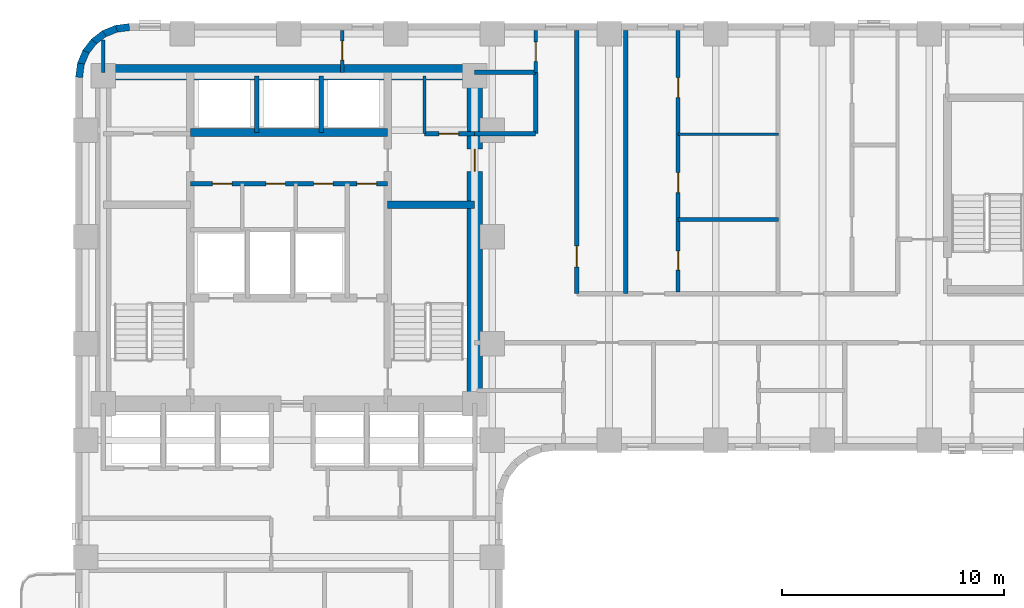
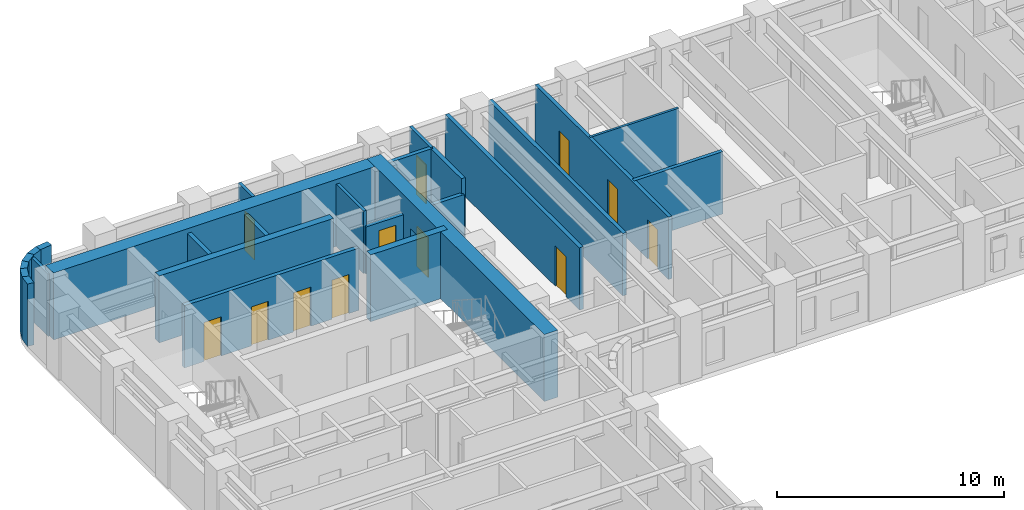
# One storey, part 6 of 11: 26 walls, 12 doors, 12 openings.
"""IFC4 building model written with IfcOpenShell, lengths in metres."""

from ifc_helpers import new_model, si_unit, direction, frame, frame_2d, origin, place, context, subcontext, project, spatial, rectangle, extrude, material, layer, layer_set, type_object, element, fill, save


model = new_model("IFC4")

# Units and contexts
model_context = context("Model", 3, precision=1e-05, world=origin(), true_north=direction((0.0, 1.0)))
body_context = subcontext(model_context, "Body", "Model", "MODEL_VIEW")
ifc_project = project(units=[si_unit("LENGTHUNIT", "METRE"), si_unit("AREAUNIT", "SQUARE_METRE"), si_unit("VOLUMEUNIT", "CUBIC_METRE"), si_unit("PLANEANGLEUNIT", "RADIAN"), si_unit("MASSUNIT", "GRAM", prefix="KILO")], contexts=[model_context])

# Site, building, storey
site_placement = place(None, origin())
site = spatial("IfcSite", under=ifc_project, at=site_placement, CompositionType="ELEMENT")
building_placement = place(site_placement, origin())
building = spatial("IfcBuilding", under=site, at=building_placement, Name="Orvandelia Arch Residences", CompositionType="ELEMENT")
storey_placement = place(building_placement, frame((0.0, 0.0, 82.60009765625)))
storey = spatial("IfcBuildingStorey", under=building, at=storey_placement, Name="L21", CompositionType="ELEMENT", Elevation=82.60009765625)

# Walls
ifc_material_1 = material(Name="Concrete C50/60", Category="concrete")
ifc_layer_1 = layer(ifc_material_1, 0.35009765625, Name="Concrete C50/60", Category="concrete")
ifc_layer_set_1 = layer_set([ifc_layer_1], Name="Concrete C50/60")
wall_type_1 = type_object("IfcWallType", Name="WL-CORE-350", PredefinedType="SHEAR", material=ifc_layer_set_1)
wall_1_placement = place(storey_placement, frame((18.840087890625, 39.85009765625, 0.0), z_axis=(0.0, 0.0, 1.0), x_axis=(1.0, 0.0, 0.0)))
element("IfcWall", 1, at=wall_1_placement, inside=storey, type_object=wall_type_1, Name="Core Shear Wall L21-HZ2", PredefinedType="SHEAR", context=body_context, shape_type="SweptSolid", body=[
    extrude(rectangle(XDim=3.909912109375, YDim=0.35009765625, at=frame_2d((1.955078125, 0.0))), origin(), (0.0, 0.0, 1.0), 3.599853515625),
])
wall_2_placement = place(storey_placement, frame((9.9599609375, 43.10009765625, 0.0), z_axis=(0.0, 0.0, 1.0), x_axis=(1.0, 0.0, 0.0)))
element("IfcWall", 2, at=wall_2_placement, inside=storey, type_object=wall_type_1, Name="Core Shear Wall L21-HZ4", PredefinedType="SHEAR", context=body_context, shape_type="SweptSolid", body=[
    extrude(rectangle(XDim=8.880126953125, YDim=0.35009765625, at=frame_2d((4.43994140625, 0.0))), origin(), (0.0, 0.0, 1.0), 3.599853515625),
])

# Wall, opening, door
ifc_material_2 = material(Name="Concrete C80/95", Category="concrete")
ifc_layer_2 = layer(ifc_material_2, 0.699951171875, Name="Concrete C80/95", Category="concrete")
ifc_layer_set_2 = layer_set([ifc_layer_2], Name="Concrete C80/95")
wall_type_2 = type_object("IfcWallType", Name="WL-CORE-700", PredefinedType="SHEAR", material=ifc_layer_set_2)
wall_3_placement = place(storey_placement, frame((22.75, 30.550048828125, 0.0), z_axis=(0.0, 0.0, 1.0), x_axis=(0.0, 1.0, 0.0)))
wall_3 = element("IfcWall", 3, at=wall_3_placement, inside=storey, type_object=wall_type_2, Name="Core Shear Wall L21-E", PredefinedType="SHEAR", context=body_context, shape_type="SweptSolid", body=[
    extrude(rectangle(XDim=15.599853515625, YDim=0.699951171875, at=frame_2d((7.7998046875, 0.0))), origin(), (0.0, 0.0, 1.0), 3.599853515625),
])
opening_1_placement = place(wall_3_placement, frame((10.800048828125, 0.0, 0.0)))
opening_1 = element("IfcOpeningElement", 4, at=opening_1_placement, cuts=wall_3, Name="Opening D6", PredefinedType="OPENING", context=body_context, shape_type="SweptSolid", body=[
    extrude(rectangle(XDim=1.0, YDim=2.14990234375, at=frame_2d((0.5, 1.074951171875))), frame((0.0, 0.35986328125, 0.0), z_axis=(0.0, -1.0, 0.0), x_axis=(1.0, 0.0, 0.0)), (0.0, 0.0, 1.0), 0.719970703125),
])
ifc_material_3 = material(Name="Smokeproof Painted Steel Fire Door", Category="steel")
door_type_1 = type_object("IfcDoorType", Name="DR-FD60-1000", OperationType="NOTDEFINED", PredefinedType="DOOR", material=ifc_material_3)
door_1_placement = place(opening_1_placement, origin())
door_1 = element("IfcDoor", 5, at=door_1_placement, inside=storey, type_object=door_type_1, Name="Core East Corridor Link Door L21", OperationType="SINGLE_SWING_LEFT", OverallHeight=2.14990234375, OverallWidth=1.0, PredefinedType="DOOR", context=body_context, shape_type="SweptSolid", body=[
    extrude(rectangle(XDim=1.0, YDim=2.14990234375, at=frame_2d((0.5, 1.074951171875))), frame((0.0, 0.02490234375, 0.0), z_axis=(0.0, -1.0, 0.0), x_axis=(1.0, 0.0, 0.0)), (0.0, 0.0, 1.0), 0.050048828125),
])
fill(opening_1, door_1)

# Walls
wall_4_placement = place(storey_placement, frame((6.050048828125, 45.800048828125, 0.0), z_axis=(0.0, 0.0, 1.0), x_axis=(1.0, 0.0, 0.0)))
element("IfcWall", 6, at=wall_4_placement, inside=storey, type_object=wall_type_2, Name="Core Shear Wall L21-N", PredefinedType="SHEAR", context=body_context, shape_type="SweptSolid", body=[
    extrude(rectangle(XDim=16.699951171875, YDim=0.699951171875, at=frame_2d((8.35009765625, 0.0))), origin(), (0.0, 0.0, 1.0), 3.599853515625),
])
ifc_material_4 = material(Name="Fire-Rated Corridor Partition")
ifc_layer_3 = layer(ifc_material_4, 0.199951171875, Name="Fire-Rated Corridor Partition")
ifc_layer_set_3 = layer_set([ifc_layer_3], Name="Fire-Rated Corridor Partition")
wall_type_3 = type_object("IfcWallType", Name="WL-CORR-200", PredefinedType="PARTITIONING", material=ifc_layer_set_3)
wall_5_placement = place(storey_placement, frame((22.75, 45.800048828125, 0.0), z_axis=(0.0, 0.0, 1.0), x_axis=(1.0, 0.0, 0.0)))
element("IfcWall", 7, at=wall_5_placement, inside=storey, type_object=wall_type_3, Name="Interior Partition Wall WL-L21-NCE-S", PredefinedType="PARTITIONING", context=body_context, shape_type="SweptSolid", body=[
    extrude(rectangle(XDim=2.75, YDim=0.199951171875, at=frame_2d((1.375, 0.0))), origin(), (0.0, 0.0, 1.0), 3.349853515625),
])

# Wall, opening, door
wall_6_placement = place(storey_placement, frame((27.35009765625, 35.85009765625, 0.0), z_axis=(0.0, 0.0, 1.0), x_axis=(0.0, 1.0, 0.0)))
wall_6 = element("IfcWall", 8, at=wall_6_placement, inside=storey, type_object=wall_type_3, Name="Interior Partition Wall WL-L21-ES-NCE", PredefinedType="PARTITIONING", context=body_context, shape_type="SweptSolid", body=[
    extrude(rectangle(XDim=11.829833984375, YDim=0.199951171875, at=frame_2d((5.9150390625, 0.0))), origin(), (0.0, 0.0, 1.0), 3.349853515625),
])
opening_2_placement = place(wall_6_placement, frame((1.199951171875, 0.0, 0.0)))
opening_2 = element("IfcOpeningElement", 9, at=opening_2_placement, cuts=wall_6, Name="Opening D2", PredefinedType="OPENING", context=body_context, shape_type="SweptSolid", body=[
    extrude(rectangle(XDim=0.949951171875, YDim=2.14990234375, at=frame_2d((0.47509765625, 1.074951171875))), frame((0.0, 0.10986328125, 0.0), z_axis=(0.0, -1.0, 0.0), x_axis=(1.0, 0.0, 0.0)), (0.0, 0.0, 1.0), 0.219970703125),
])
ifc_material_5 = material(Name="Solid-Core Timber Interior Fire Door", Category="wood")
door_type_2 = type_object("IfcDoorType", Name="DR-APT-950", OperationType="NOTDEFINED", PredefinedType="DOOR", material=ifc_material_5)
door_2_placement = place(opening_2_placement, origin())
door_2 = element("IfcDoor", 10, at=door_2_placement, inside=storey, type_object=door_type_2, Name="DR-L21-ESLDY", OperationType="SINGLE_SWING_RIGHT", OverallHeight=2.14990234375, OverallWidth=0.949951171875, PredefinedType="DOOR", context=body_context, shape_type="SweptSolid", body=[
    extrude(rectangle(XDim=0.949951171875, YDim=2.14990234375, at=frame_2d((0.47509765625, 1.074951171875))), frame((0.0, 0.02490234375, 0.0), z_axis=(0.0, -1.0, 0.0), x_axis=(1.0, 0.0, 0.0)), (0.0, 0.0, 1.0), 0.050048828125),
])
fill(opening_2, door_2)

# Walls
wall_7_placement = place(storey_placement, frame((22.75, 43.050048828125, 0.0), z_axis=(0.0, 0.0, 1.0), x_axis=(1.0, 0.0, 0.0)))
element("IfcWall", 11, at=wall_7_placement, inside=storey, type_object=wall_type_3, Name="Interior Partition Wall WL-L21-ES-LS", PredefinedType="PARTITIONING", context=body_context, shape_type="SweptSolid", body=[
    extrude(rectangle(XDim=2.75, YDim=0.199951171875, at=frame_2d((1.375, 0.0))), origin(), (0.0, 0.0, 1.0), 2.52978515625),
])
wall_8_placement = place(storey_placement, frame((25.5, 43.050048828125, 0.0), z_axis=(0.0, 0.0, 1.0), x_axis=(0.0, 1.0, 0.0)))
element("IfcWall", 12, at=wall_8_placement, inside=storey, type_object=wall_type_3, Name="Interior Partition Wall WL-L21-ES-LW2", PredefinedType="PARTITIONING", context=body_context, shape_type="SweptSolid", body=[
    extrude(rectangle(XDim=2.75, YDim=0.199951171875, at=frame_2d((1.375, 0.0))), origin(), (0.0, 0.0, 1.0), 3.349853515625),
])
ifc_material_6 = material(Name="Concrete C40/50", Category="concrete")
ifc_layer_4 = layer(ifc_material_6, 0.199951171875, Name="Concrete C40/50", Category="concrete")
ifc_layer_set_4 = layer_set([ifc_layer_4], Name="Concrete C40/50")
wall_type_4 = type_object("IfcWallType", Name="WL-DEM-200", PredefinedType="SOLIDWALL", material=ifc_layer_set_4)
wall_9_placement = place(storey_placement, frame((29.550048828125, 35.85009765625, 0.0), z_axis=(0.0, 0.0, 1.0), x_axis=(0.0, 1.0, 0.0)))
element("IfcWall", 13, at=wall_9_placement, inside=storey, type_object=wall_type_4, Name="Interior Partition Wall WL-L21-ES-LDE", PredefinedType="SOLIDWALL", context=body_context, shape_type="SweptSolid", body=[
    extrude(rectangle(XDim=11.829833984375, YDim=0.199951171875, at=frame_2d((5.9150390625, 0.0))), origin(), (0.0, 0.0, 1.0), 3.349853515625),
])
ifc_material_7 = material(Name="Precast concrete C40/50", Category="concrete")
ifc_layer_5 = layer(ifc_material_7, 0.320068359375, Name="Precast concrete C40/50", Category="concrete")
ifc_layer_set_5 = layer_set([ifc_layer_5], Name="Precast concrete C40/50")
wall_type_5 = type_object("IfcWallType", Name="WL-EXT-STONE-320", PredefinedType="STANDARD", material=ifc_layer_set_5)
for number, where, z_axis, x_axis, name in (
    (14, (4.95849609375, 45.5791015625, 0.0), (0.0, 0.0, 1.0), (0.130555323746, 0.9914410257, 0.0), "Coral-Limestone Precast Facade Wall L21-001"),
    (15, (5.029541015625, 46.159912109375, 0.0), (0.0, 0.0, 1.0), (0.382650053678, 0.92389335771, 0.0), "Coral-Limestone Precast Facade Wall L21-002"),
):
    element("IfcWall", number, at=place(storey_placement, frame(where, z_axis=z_axis, x_axis=x_axis)), inside=storey, type_object=wall_type_5, Name=name, PredefinedType="STANDARD", context=body_context, shape_type="SweptSolid", body=[
        extrude(rectangle(XDim=0.62646484375, YDim=0.320068359375, at=frame_2d((0.313232421875, 0.0))), origin(), (0.0, 0.0, 1.0), 3.349853515625),
    ])
wall_10_placement = place(storey_placement, frame((5.248291015625, 46.70263671875, 0.0), z_axis=(0.0, 0.0, 1.0), x_axis=(0.608938521285, 0.7932174212, 0.0)))
element("IfcWall", 16, at=wall_10_placement, inside=storey, type_object=wall_type_5, Name="Coral-Limestone Precast Facade Wall L21-003", PredefinedType="STANDARD", context=body_context, shape_type="SweptSolid", body=[
    extrude(rectangle(XDim=0.626708984375, YDim=0.320068359375, at=frame_2d((0.3134765625, 0.0))), origin(), (0.0, 0.0, 1.0), 3.349853515625),
])
wall_11_placement = place(storey_placement, frame((5.600341796875, 47.170166015625, 0.0), z_axis=(0.0, 0.0, 1.0), x_axis=(0.793405610854, 0.608693302629, 0.0)))
element("IfcWall", 17, at=wall_11_placement, inside=storey, type_object=wall_type_5, Name="Coral-Limestone Precast Facade Wall L21-004", PredefinedType="STANDARD", context=body_context, shape_type="SweptSolid", body=[
    extrude(rectangle(XDim=0.62646484375, YDim=0.320068359375, at=frame_2d((0.313232421875, 0.0))), origin(), (0.0, 0.0, 1.0), 3.349853515625),
])
wall_12_placement = place(storey_placement, frame((6.061279296875, 47.53076171875, 0.0), z_axis=(0.0, 0.0, 1.0), x_axis=(0.923836271867, 0.382787856107, 0.0)))
element("IfcWall", 18, at=wall_12_placement, inside=storey, type_object=wall_type_5, Name="Coral-Limestone Precast Facade Wall L21-005", PredefinedType="STANDARD", context=body_context, shape_type="SweptSolid", body=[
    extrude(rectangle(XDim=0.626220703125, YDim=0.320068359375, at=frame_2d((0.31298828125, 0.0))), origin(), (0.0, 0.0, 1.0), 3.349853515625),
])
wall_13_placement = place(storey_placement, frame((6.599609375, 47.759521484375, 0.0), z_axis=(0.0, 0.0, 1.0), x_axis=(0.991447664465, 0.130504898859, 0.0)))
element("IfcWall", 19, at=wall_13_placement, inside=storey, type_object=wall_type_5, Name="Coral-Limestone Precast Facade Wall L21-006", PredefinedType="STANDARD", context=body_context, shape_type="SweptSolid", body=[
    extrude(rectangle(XDim=0.626708984375, YDim=0.320068359375, at=frame_2d((0.3134765625, 0.0))), origin(), (0.0, 0.0, 1.0), 3.349853515625),
])
ifc_material_8 = material(Name="Lightweight Gypsum Stud Partition")
ifc_layer_6 = layer(ifc_material_8, 0.1201171875, Name="Lightweight Gypsum Stud Partition")
ifc_layer_set_6 = layer_set([ifc_layer_6], Name="Lightweight Gypsum Stud Partition")
wall_type_6 = type_object("IfcWallType", Name="WL-PART-120", PredefinedType="PARTITIONING", material=ifc_layer_set_6)
wall_14_placement = place(storey_placement, frame((31.909912109375, 43.01611328125, 0.0), z_axis=(0.0, 0.0, 1.0), x_axis=(1.0, 0.0, 0.0)))
element("IfcWall", 20, at=wall_14_placement, inside=storey, type_object=wall_type_6, Name="Interior Partition Wall WL-L21-U08-H2", PredefinedType="PARTITIONING", context=body_context, shape_type="SweptSolid", body=[
    extrude(rectangle(XDim=4.510009765625, YDim=0.1201171875, at=frame_2d((2.2548828125, 0.0))), origin(), (0.0, 0.0, 1.0), 3.349853515625),
])
ifc_material_9 = material(Name="Acoustic Gypsum Stud Partition")
ifc_layer_7 = layer(ifc_material_9, 0.14990234375, Name="Acoustic Gypsum Stud Partition")
ifc_layer_set_7 = layer_set([ifc_layer_7], Name="Acoustic Gypsum Stud Partition")
wall_type_7 = type_object("IfcWallType", Name="WL-PART-150", PredefinedType="PARTITIONING", material=ifc_layer_set_7)
wall_15_placement = place(storey_placement, frame((20.5, 43.050048828125, 0.0), z_axis=(0.0, 0.0, 1.0), x_axis=(0.0, 1.0, 0.0)))
element("IfcWall", 21, at=wall_15_placement, inside=storey, type_object=wall_type_7, Name="Interior Partition Wall WL-L21-CSB-2W", PredefinedType="PARTITIONING", context=body_context, shape_type="SweptSolid", body=[
    extrude(rectangle(XDim=2.599853515625, YDim=0.14990234375, at=frame_2d((1.2998046875, 0.0))), origin(), (0.0, 0.0, 1.0), 3.349853515625),
])

# Wall, opening, door
wall_16_placement = place(storey_placement, frame((25.5, 45.800048828125, 0.0), z_axis=(0.0, 0.0, 1.0), x_axis=(0.0, 1.0, 0.0)))
wall_16 = element("IfcWall", 22, at=wall_16_placement, inside=storey, type_object=wall_type_7, Name="Interior Partition Wall WL-L21-NCE-W", PredefinedType="PARTITIONING", context=body_context, shape_type="SweptSolid", body=[
    extrude(rectangle(XDim=1.8798828125, YDim=0.14990234375, at=frame_2d((0.93994140625, 0.0))), origin(), (0.0, 0.0, 1.0), 3.349853515625),
])
opening_3_placement = place(wall_16_placement, frame((0.5, 0.0, 0.0)))
opening_3 = element("IfcOpeningElement", 23, at=opening_3_placement, cuts=wall_16, Name="Opening D5", PredefinedType="OPENING", context=body_context, shape_type="SweptSolid", body=[
    extrude(rectangle(XDim=0.8798828125, YDim=2.10009765625, at=frame_2d((0.43994140625, 1.050048828125))), frame((0.0, 0.0849609375, 0.0), z_axis=(0.0, -1.0, 0.0), x_axis=(1.0, 0.0, 0.0)), (0.0, 0.0, 1.0), 0.169921875),
])
ifc_material_10 = material(Name="Painted Galvanised Steel Service Door", Category="steel")
door_type_3 = type_object("IfcDoorType", Name="DR-SRV-880", OperationType="NOTDEFINED", PredefinedType="DOOR", material=ifc_material_10)
door_3_placement = place(opening_3_placement, origin())
door_3 = element("IfcDoor", 24, at=door_3_placement, inside=storey, type_object=door_type_3, Name="DR-L21-NCS2", OperationType="SINGLE_SWING_LEFT", OverallHeight=2.10009765625, OverallWidth=0.8798828125, PredefinedType="DOOR", context=body_context, shape_type="SweptSolid", body=[
    extrude(rectangle(XDim=0.8798828125, YDim=2.10009765625, at=frame_2d((0.43994140625, 1.050048828125))), frame((0.0, 0.02490234375, 0.0), z_axis=(0.0, -1.0, 0.0), x_axis=(1.0, 0.0, 0.0)), (0.0, 0.0, 1.0), 0.050048828125),
])
fill(opening_3, door_3)

# Wall
wall_17_placement = place(storey_placement, frame((6.050048828125, 45.800048828125, 0.0), z_axis=(0.0, 0.0, 1.0), x_axis=(0.0, 1.0, 0.0)))
element("IfcWall", 25, at=wall_17_placement, inside=storey, type_object=wall_type_7, Name="Interior Partition Wall WL-L21-NC-W6", PredefinedType="PARTITIONING", context=body_context, shape_type="SweptSolid", body=[
    extrude(rectangle(XDim=1.4599609375, YDim=0.14990234375, at=frame_2d((0.72998046875, 0.0))), origin(), (0.0, 0.0, 1.0), 3.349853515625),
])

# Wall, opening, door
wall_18_placement = place(storey_placement, frame((16.800048828125, 45.800048828125, 0.0), z_axis=(0.0, 0.0, 1.0), x_axis=(0.0, 1.0, 0.0)))
wall_18 = element("IfcWall", 26, at=wall_18_placement, inside=storey, type_object=wall_type_7, Name="Interior Partition Wall WL-L21-NC-M", PredefinedType="PARTITIONING", context=body_context, shape_type="SweptSolid", body=[
    extrude(rectangle(XDim=1.8798828125, YDim=0.14990234375, at=frame_2d((0.93994140625, 0.0))), origin(), (0.0, 0.0, 1.0), 3.349853515625),
])
opening_4_placement = place(wall_18_placement, frame((0.550048828125, 0.0, 0.0)))
opening_4 = element("IfcOpeningElement", 27, at=opening_4_placement, cuts=wall_18, Name="Opening D4", PredefinedType="OPENING", context=body_context, shape_type="SweptSolid", body=[
    extrude(rectangle(XDim=0.860107421875, YDim=2.10009765625, at=frame_2d((0.43017578125, 1.050048828125))), frame((0.0, 0.0849609375, 0.0), z_axis=(0.0, -1.0, 0.0), x_axis=(1.0, 0.0, 0.0)), (0.0, 0.0, 1.0), 0.169921875),
])
ifc_material_11 = material(Name="Moisture-Sealed Timber Bathroom Door", Category="wood")
door_type_4 = type_object("IfcDoorType", Name="DR-WET-900", OperationType="NOTDEFINED", PredefinedType="DOOR", material=ifc_material_11)
door_4_placement = place(opening_4_placement, origin())
door_4 = element("IfcDoor", 28, at=door_4_placement, inside=storey, type_object=door_type_4, Name="DR-L21-NCS1", OperationType="SINGLE_SWING_LEFT", OverallHeight=2.10009765625, OverallWidth=0.860107421875, PredefinedType="DOOR", context=body_context, shape_type="SweptSolid", body=[
    extrude(rectangle(XDim=0.860107421875, YDim=2.10009765625, at=frame_2d((0.43017578125, 1.050048828125))), frame((0.0, 0.02490234375, 0.0), z_axis=(0.0, -1.0, 0.0), x_axis=(1.0, 0.0, 0.0)), (0.0, 0.0, 1.0), 0.050048828125),
])
fill(opening_4, door_4)

# Wall, openings, doors
ifc_material_12 = material(Name="Fire-Rated Shaft Enclosure Wall")
ifc_layer_8 = layer(ifc_material_12, 0.199951171875, Name="Fire-Rated Shaft Enclosure Wall")
ifc_layer_set_8 = layer_set([ifc_layer_8], Name="Fire-Rated Shaft Enclosure Wall")
wall_type_8 = type_object("IfcWallType", Name="WL-SHAFT-200", PredefinedType="POLYGONAL", material=ifc_layer_set_8)
wall_19_placement = place(storey_placement, frame((9.9599609375, 40.800048828125, 0.0), z_axis=(0.0, 0.0, 1.0), x_axis=(1.0, 0.0, 0.0)))
wall_19 = element("IfcWall", 29, at=wall_19_placement, inside=storey, type_object=wall_type_8, Name="Interior Partition Wall WL-L21-HLH-S", PredefinedType="POLYGONAL", context=body_context, shape_type="SweptSolid", body=[
    extrude(rectangle(XDim=8.880126953125, YDim=0.199951171875, at=frame_2d((4.43994140625, 0.0))), origin(), (0.0, 0.0, 1.0), 3.349853515625),
])
opening_5_placement = place(wall_19_placement, frame((7.5, 0.0, 0.0)))
opening_5 = element("IfcOpeningElement", 30, at=opening_5_placement, cuts=wall_19, Name="Opening D5", PredefinedType="OPENING", context=body_context, shape_type="SweptSolid", body=[
    extrude(rectangle(XDim=0.8798828125, YDim=2.10009765625, at=frame_2d((0.43994140625, 1.050048828125))), frame((0.0, 0.10986328125, 0.0), z_axis=(0.0, -1.0, 0.0), x_axis=(1.0, 0.0, 0.0)), (0.0, 0.0, 1.0), 0.219970703125),
])
opening_6_placement = place(wall_19_placement, frame((1.0, 0.0, 0.0)))
opening_6 = element("IfcOpeningElement", 31, at=opening_6_placement, cuts=wall_19, Name="Opening D5", PredefinedType="OPENING", context=body_context, shape_type="SweptSolid", body=[
    extrude(rectangle(XDim=0.8798828125, YDim=2.10009765625, at=frame_2d((0.43994140625, 1.050048828125))), frame((0.0, 0.10986328125, 0.0), z_axis=(0.0, -1.0, 0.0), x_axis=(1.0, 0.0, 0.0)), (0.0, 0.0, 1.0), 0.219970703125),
])
opening_7_placement = place(wall_19_placement, frame((3.39990234375, 0.0, 0.0)))
opening_7 = element("IfcOpeningElement", 32, at=opening_7_placement, cuts=wall_19, Name="Opening D5", PredefinedType="OPENING", context=body_context, shape_type="SweptSolid", body=[
    extrude(rectangle(XDim=0.8798828125, YDim=2.10009765625, at=frame_2d((0.43994140625, 1.050048828125))), frame((0.0, 0.10986328125, 0.0), z_axis=(0.0, -1.0, 0.0), x_axis=(1.0, 0.0, 0.0)), (0.0, 0.0, 1.0), 0.219970703125),
])
opening_8_placement = place(wall_19_placement, frame((5.550048828125, 0.0, 0.0)))
opening_8 = element("IfcOpeningElement", 33, at=opening_8_placement, cuts=wall_19, Name="Opening D5", PredefinedType="OPENING", context=body_context, shape_type="SweptSolid", body=[
    extrude(rectangle(XDim=0.8798828125, YDim=2.10009765625, at=frame_2d((0.43994140625, 1.050048828125))), frame((0.0, 0.10986328125, 0.0), z_axis=(0.0, -1.0, 0.0), x_axis=(1.0, 0.0, 0.0)), (0.0, 0.0, 1.0), 0.219970703125),
])
door_5_placement = place(opening_5_placement, origin())
door_5 = element("IfcDoor", 34, at=door_5_placement, inside=storey, type_object=door_type_3, Name="Core Stairway Passage North Fire Door L21", OperationType="SINGLE_SWING_RIGHT", OverallHeight=2.10009765625, OverallWidth=0.8798828125, PredefinedType="DOOR", context=body_context, shape_type="SweptSolid", body=[
    extrude(rectangle(XDim=0.8798828125, YDim=2.10009765625, at=frame_2d((0.43994140625, 1.050048828125))), frame((0.0, 0.02490234375, 0.0), z_axis=(0.0, -1.0, 0.0), x_axis=(1.0, 0.0, 0.0)), (0.0, 0.0, 1.0), 0.050048828125),
])
fill(opening_5, door_5)
door_6_placement = place(opening_6_placement, origin())
door_6 = element("IfcDoor", 35, at=door_6_placement, inside=storey, type_object=door_type_3, Name="DR-L21-CSA1", OperationType="SINGLE_SWING_LEFT", OverallHeight=2.10009765625, OverallWidth=0.8798828125, PredefinedType="DOOR", context=body_context, shape_type="SweptSolid", body=[
    extrude(rectangle(XDim=0.8798828125, YDim=2.10009765625, at=frame_2d((0.43994140625, 1.050048828125))), frame((0.0, 0.02490234375, 0.0), z_axis=(0.0, -1.0, 0.0), x_axis=(1.0, 0.0, 0.0)), (0.0, 0.0, 1.0), 0.050048828125),
])
fill(opening_6, door_6)
door_7_placement = place(opening_7_placement, origin())
door_7 = element("IfcDoor", 36, at=door_7_placement, inside=storey, type_object=door_type_3, Name="DR-L21-CSA2", OperationType="SINGLE_SWING_RIGHT", OverallHeight=2.10009765625, OverallWidth=0.8798828125, PredefinedType="DOOR", context=body_context, shape_type="SweptSolid", body=[
    extrude(rectangle(XDim=0.8798828125, YDim=2.10009765625, at=frame_2d((0.43994140625, 1.050048828125))), frame((0.0, 0.02490234375, 0.0), z_axis=(0.0, -1.0, 0.0), x_axis=(1.0, 0.0, 0.0)), (0.0, 0.0, 1.0), 0.050048828125),
])
fill(opening_7, door_7)
door_8_placement = place(opening_8_placement, origin())
door_8 = element("IfcDoor", 37, at=door_8_placement, inside=storey, type_object=door_type_3, Name="DR-L21-CSA3", OperationType="SINGLE_SWING_LEFT", OverallHeight=2.10009765625, OverallWidth=0.8798828125, PredefinedType="DOOR", context=body_context, shape_type="SweptSolid", body=[
    extrude(rectangle(XDim=0.8798828125, YDim=2.10009765625, at=frame_2d((0.43994140625, 1.050048828125))), frame((0.0, 0.02490234375, 0.0), z_axis=(0.0, -1.0, 0.0), x_axis=(1.0, 0.0, 0.0)), (0.0, 0.0, 1.0), 0.050048828125),
])
fill(opening_8, door_8)

# Wall, opening, door
wall_20_placement = place(storey_placement, frame((20.5, 43.050048828125, 0.0), z_axis=(0.0, 0.0, 1.0), x_axis=(1.0, 0.0, 0.0)))
wall_20 = element("IfcWall", 38, at=wall_20_placement, inside=storey, type_object=wall_type_8, Name="Interior Partition Wall WL-L21-HLE-N", PredefinedType="POLYGONAL", context=body_context, shape_type="SweptSolid", body=[
    extrude(rectangle(XDim=2.25, YDim=0.199951171875, at=frame_2d((1.125, 0.0))), origin(), (0.0, 0.0, 1.0), 2.52978515625),
])
opening_9_placement = place(wall_20_placement, frame((0.64990234375, 0.0, 0.0)))
opening_9 = element("IfcOpeningElement", 39, at=opening_9_placement, cuts=wall_20, Name="Opening D5", PredefinedType="OPENING", context=body_context, shape_type="SweptSolid", body=[
    extrude(rectangle(XDim=0.8798828125, YDim=2.10009765625, at=frame_2d((0.43994140625, 1.050048828125))), frame((0.0, 0.10986328125, 0.0), z_axis=(0.0, -1.0, 0.0), x_axis=(1.0, 0.0, 0.0)), (0.0, 0.0, 1.0), 0.219970703125),
])
door_9_placement = place(opening_9_placement, origin())
door_9 = element("IfcDoor", 40, at=door_9_placement, inside=storey, type_object=door_type_3, Name="DR-L21-CSB1", OperationType="SINGLE_SWING_RIGHT", OverallHeight=2.10009765625, OverallWidth=0.8798828125, PredefinedType="DOOR", context=body_context, shape_type="SweptSolid", body=[
    extrude(rectangle(XDim=0.8798828125, YDim=2.10009765625, at=frame_2d((0.43994140625, 1.050048828125))), frame((0.0, 0.02490234375, 0.0), z_axis=(0.0, -1.0, 0.0), x_axis=(1.0, 0.0, 0.0)), (0.0, 0.0, 1.0), 0.050048828125),
])
fill(opening_9, door_9)

# Walls
for number, where, z_axis, x_axis, name in (
    (41, (12.949951171875, 43.10009765625, 0.0), (0.0, 0.0, 1.0), (0.0, 1.0, 0.0), "Interior Partition Wall WL-L21-PHD1"),
    (42, (15.85009765625, 43.10009765625, 0.0), (0.0, 0.0, 1.0), (0.0, 1.0, 0.0), "Interior Partition Wall WL-L21-PHD2"),
):
    element("IfcWall", number, at=place(storey_placement, frame(where, z_axis=z_axis, x_axis=x_axis)), inside=storey, type_object=wall_type_8, Name=name, PredefinedType="POLYGONAL", context=body_context, shape_type="SweptSolid", body=[
        extrude(rectangle(XDim=2.5498046875, YDim=0.199951171875, at=frame_2d((1.27490234375, 0.0))), origin(), (0.0, 0.0, 1.0), 3.349853515625),
    ])

# Wall, openings, doors
ifc_material_13 = material(Name="Moisture-Resistant Plumbing Wall")
ifc_layer_9 = layer(ifc_material_13, 0.179931640625, Name="Moisture-Resistant Plumbing Wall")
ifc_layer_set_9 = layer_set([ifc_layer_9], Name="Moisture-Resistant Plumbing Wall")
wall_type_9 = type_object("IfcWallType", Name="WL-WET-180", PredefinedType="PLUMBINGWALL", material=ifc_layer_set_9)
wall_21_placement = place(storey_placement, frame((31.909912109375, 35.929931640625, 0.0), z_axis=(0.0, 0.0, 1.0), x_axis=(0.0, 1.0, 0.0)))
wall_21 = element("IfcWall", 43, at=wall_21_placement, inside=storey, type_object=wall_type_9, Name="Interior Partition Wall WL-L21-U08-VT", PredefinedType="PLUMBINGWALL", context=body_context, shape_type="SweptSolid", body=[
    extrude(rectangle(XDim=11.75, YDim=0.179931640625, at=frame_2d((5.875, 0.0))), origin(), (0.0, 0.0, 1.0), 3.349853515625),
])
opening_10_placement = place(wall_21_placement, frame((0.971923828125, 0.0, 0.0)))
opening_10 = element("IfcOpeningElement", 44, at=opening_10_placement, cuts=wall_21, Name="Opening D4", PredefinedType="OPENING", context=body_context, shape_type="SweptSolid", body=[
    extrude(rectangle(XDim=0.860107421875, YDim=2.10009765625, at=frame_2d((0.43017578125, 1.050048828125))), frame((0.0, 0.10009765625, 0.0), z_axis=(0.0, -1.0, 0.0), x_axis=(1.0, 0.0, 0.0)), (0.0, 0.0, 1.0), 0.199951171875),
])
opening_11_placement = place(wall_21_placement, frame((4.464111328125, 0.0, 0.0)))
opening_11 = element("IfcOpeningElement", 45, at=opening_11_placement, cuts=wall_21, Name="Opening D3", PredefinedType="OPENING", context=body_context, shape_type="SweptSolid", body=[
    extrude(rectangle(XDim=0.89990234375, YDim=2.14990234375, at=frame_2d((0.449951171875, 1.074951171875))), frame((0.0, 0.10009765625, 0.0), z_axis=(0.0, -1.0, 0.0), x_axis=(1.0, 0.0, 0.0)), (0.0, 0.0, 1.0), 0.199951171875),
])
opening_12_placement = place(wall_21_placement, frame((8.7392578125, 0.0, 0.0)))
opening_12 = element("IfcOpeningElement", 46, at=opening_12_placement, cuts=wall_21, Name="Opening D3", PredefinedType="OPENING", context=body_context, shape_type="SweptSolid", body=[
    extrude(rectangle(XDim=0.89990234375, YDim=2.14990234375, at=frame_2d((0.449951171875, 1.074951171875))), frame((0.0, 0.10009765625, 0.0), z_axis=(0.0, -1.0, 0.0), x_axis=(1.0, 0.0, 0.0)), (0.0, 0.0, 1.0), 0.199951171875),
])
ifc_material_14 = material(Name="Engineered Timber Flush Door", Category="wood")
door_type_5 = type_object("IfcDoorType", Name="DR-INT-900", OperationType="NOTDEFINED", PredefinedType="DOOR", material=ifc_material_14)
door_10_placement = place(opening_11_placement, origin())
door_10 = element("IfcDoor", 47, at=door_10_placement, inside=storey, type_object=door_type_5, Name="DR-L21-U08-KIT", OperationType="SINGLE_SWING_RIGHT", OverallHeight=2.14990234375, OverallWidth=0.89990234375, PredefinedType="DOOR", context=body_context, shape_type="SweptSolid", body=[
    extrude(rectangle(XDim=0.89990234375, YDim=2.14990234375, at=frame_2d((0.449951171875, 1.074951171875))), frame((0.0, 0.02490234375, 0.0), z_axis=(0.0, -1.0, 0.0), x_axis=(1.0, 0.0, 0.0)), (0.0, 0.0, 1.0), 0.050048828125),
])
fill(opening_11, door_10)
door_11_placement = place(opening_12_placement, origin())
door_11 = element("IfcDoor", 48, at=door_11_placement, inside=storey, type_object=door_type_5, Name="DR-L21-U08-BD1", OperationType="SINGLE_SWING_LEFT", OverallHeight=2.14990234375, OverallWidth=0.89990234375, PredefinedType="DOOR", context=body_context, shape_type="SweptSolid", body=[
    extrude(rectangle(XDim=0.89990234375, YDim=2.14990234375, at=frame_2d((0.449951171875, 1.074951171875))), frame((0.0, 0.02490234375, 0.0), z_axis=(0.0, -1.0, 0.0), x_axis=(1.0, 0.0, 0.0)), (0.0, 0.0, 1.0), 0.050048828125),
])
fill(opening_12, door_11)
door_12_placement = place(opening_10_placement, origin())
door_12 = element("IfcDoor", 49, at=door_12_placement, inside=storey, type_object=door_type_4, Name="DR-L21-U08-BTH", OperationType="SINGLE_SWING_LEFT", OverallHeight=2.10009765625, OverallWidth=0.860107421875, PredefinedType="DOOR", context=body_context, shape_type="SweptSolid", body=[
    extrude(rectangle(XDim=0.860107421875, YDim=2.10009765625, at=frame_2d((0.43017578125, 1.050048828125))), frame((0.0, 0.02490234375, 0.0), z_axis=(0.0, -1.0, 0.0), x_axis=(1.0, 0.0, 0.0)), (0.0, 0.0, 1.0), 0.050048828125),
])
fill(opening_10, door_12)

# Wall
wall_22_placement = place(storey_placement, frame((31.909912109375, 39.18994140625, 0.0), z_axis=(0.0, 0.0, 1.0), x_axis=(1.0, 0.0, 0.0)))
element("IfcWall", 50, at=wall_22_placement, inside=storey, type_object=wall_type_9, Name="Interior Partition Wall WL-L21-U08-H1", PredefinedType="PLUMBINGWALL", context=body_context, shape_type="SweptSolid", body=[
    extrude(rectangle(XDim=4.510009765625, YDim=0.179931640625, at=frame_2d((2.2548828125, 0.0))), origin(), (0.0, 0.0, 1.0), 3.349853515625),
])

save(model, "model.ifc")
